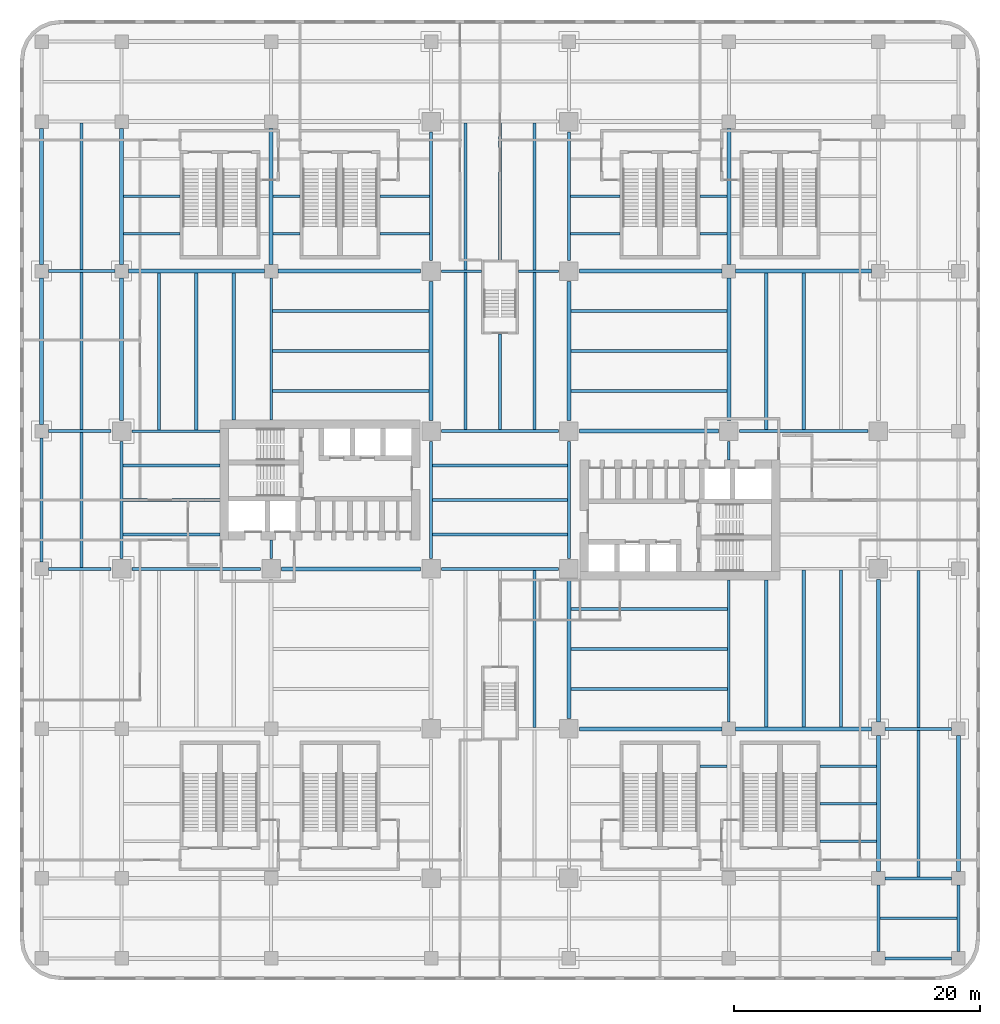
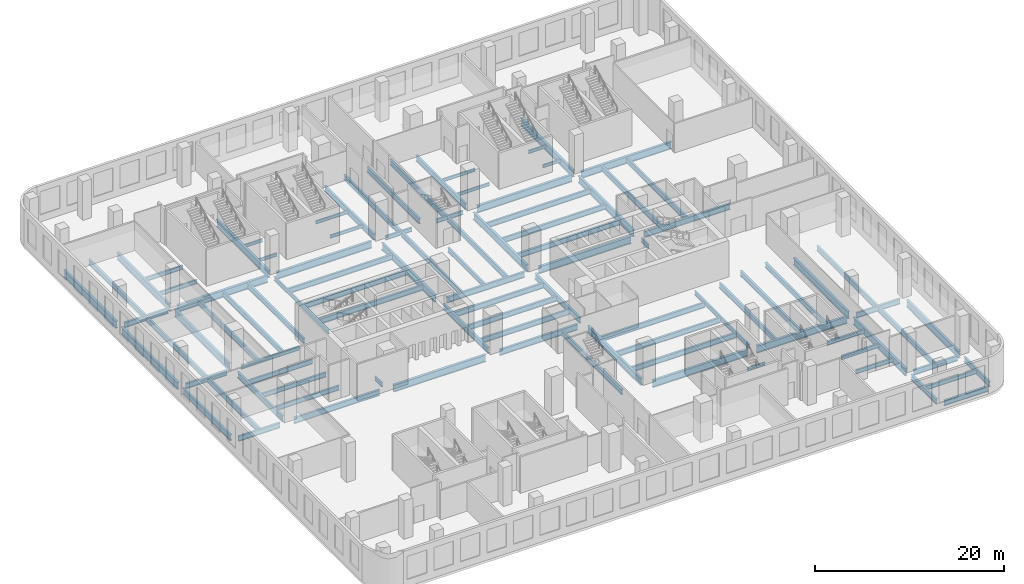
# One storey, part 2 of 17: 96 beams.
"""IFC4 building model written with IfcOpenShell, lengths in metres."""

from ifc_helpers import new_model, si_unit, direction, frame, origin, origin_2d, place, context, subcontext, project, spatial, i_section, extrude, source, transform, mapped, material, material_profile, profile_set, type_object, element, save


model = new_model("IFC4")

# Units and contexts
model_context = context("Model", 3, precision=1e-05, world=origin(), true_north=direction((0.0, 1.0)))
body_context = subcontext(model_context, "Body", "Model", "MODEL_VIEW")
ifc_project = project(units=[si_unit("LENGTHUNIT", "METRE"), si_unit("AREAUNIT", "SQUARE_METRE"), si_unit("VOLUMEUNIT", "CUBIC_METRE"), si_unit("PLANEANGLEUNIT", "RADIAN"), si_unit("MASSUNIT", "GRAM", prefix="KILO")], contexts=[model_context])

# Site, building, storey
site_placement = place(None, origin())
site = spatial("IfcSite", under=ifc_project, at=site_placement, CompositionType="ELEMENT")
building_placement = place(site_placement, origin())
building = spatial("IfcBuilding", under=site, at=building_placement, Name="Trellis Farm Tower", CompositionType="ELEMENT")
storey_placement = place(building_placement, frame((0.0, 0.0, 19.0)))
storey = spatial("IfcBuildingStorey", under=building, at=storey_placement, Name="L03", CompositionType="ELEMENT", Elevation=19.0)

# Beams
ifc_material = material(Name="Steel S355", Category="steel")
ifc_material_profile_1 = material_profile(ifc_material, i_section(OverallWidth=0.2666015625, OverallDepth=0.76220703125, WebThickness=0.014404296875, FlangeThickness=0.021484375, FilletRadius=0.0166015625, at=origin_2d()), Name="UB 762x267x173")
ifc_profile_set_1 = profile_set([ifc_material_profile_1], Name="Steel S355")
beam_type_1 = type_object("IfcBeamType", Name="UB 762x267x173", PredefinedType="BEAM", material=ifc_profile_set_1)
shared_shape_1 = source(origin(), body_context, "Body", "SweptSolid", [
    extrude(i_section(OverallWidth=0.2666015625, OverallDepth=0.76220703125, WebThickness=0.014404296875, FlangeThickness=0.021484375, FilletRadius=0.0166015625, at=origin_2d()), origin(), (0.0, 0.0, 1.0), 9.5),
])
for number, where, z_axis, x_axis, name in (
    (1, (-4.75, -5.60009765625, -0.68115234375), (1.0, 0.0, 0.0), (0.0, 1.0, 0.0), "Girder"),
    (2, (-4.75, 5.60009765625, -0.68115234375), (1.0, 0.0, 0.0), (0.0, 1.0, 0.0), "Girder"),
    (3, (-30.75, -4.75, -0.68115234375), (0.0, 1.0, 0.0), (-1.0, 0.0, 0.0), "Girder"),
    (4, (-5.60009765625, -4.75, -0.68115234375), (0.0, 1.0, 0.0), (-1.0, 0.0, 0.0), "Girder"),
    (5, (5.60009765625, -4.75, -0.68115234375), (0.0, 1.0, 0.0), (-1.0, 0.0, 0.0), "Girder"),
):
    element("IfcBeam", number, at=place(storey_placement, frame(where, z_axis=z_axis, x_axis=x_axis)), inside=storey, type_object=beam_type_1, Name=name, PredefinedType="BEAM", context=body_context, shape_type="MappedRepresentation", body=[
        mapped(shared_shape_1, transform((0.0, 0.0, 0.0))),
    ])
ifc_material_profile_2 = material_profile(ifc_material, i_section(OverallWidth=0.305419921875, OverallDepth=0.91845703125, WebThickness=0.017333984375, FlangeThickness=0.02783203125, FilletRadius=0.01904296875, at=origin_2d()), Name="UB 914x305x253")
ifc_profile_set_2 = profile_set([ifc_material_profile_2], Name="Steel S355")
beam_type_2 = type_object("IfcBeamType", Name="UB 914x305x253", PredefinedType="BEAM", material=ifc_profile_set_2)
shared_shape_2 = source(origin(), body_context, "Body", "SweptSolid", [
    extrude(i_section(OverallWidth=0.305419921875, OverallDepth=0.91845703125, WebThickness=0.017333984375, FlangeThickness=0.02783203125, FilletRadius=0.01904296875, at=origin_2d()), origin(), (0.0, 0.0, 1.0), 11.300048828125),
])
for number, where, z_axis, x_axis, name in (
    (6, (-17.75, -5.60009765625, -0.75927734375), (1.0, 0.0, 0.0), (0.0, 1.0, 0.0), "Girder"),
    (7, (6.449951171875, 5.60009765625, -0.75927734375), (1.0, 0.0, 0.0), (0.0, 1.0, 0.0), "Girder"),
    (8, (-5.60009765625, 6.449951171875, -0.75927734375), (0.0, 1.0, 0.0), (-1.0, 0.0, 0.0), "Girder"),
    (9, (5.60009765625, -17.75, -0.75927734375), (0.0, 1.0, 0.0), (-1.0, 0.0, 0.0), "Girder"),
    (10, (5.60009765625, 6.449951171875, -0.75927734375), (0.0, 1.0, 0.0), (-1.0, 0.0, 0.0), "Girder"),
):
    element("IfcBeam", number, at=place(storey_placement, frame(where, z_axis=z_axis, x_axis=x_axis)), inside=storey, type_object=beam_type_2, Name=name, PredefinedType="BEAM", context=body_context, shape_type="MappedRepresentation", body=[
        mapped(shared_shape_2, transform((0.0, 0.0, 0.0))),
    ])
ifc_material_profile_3 = material_profile(ifc_material, i_section(OverallWidth=0.253662109375, OverallDepth=0.68359375, WebThickness=0.012451171875, FlangeThickness=0.021728515625, FilletRadius=0.01513671875, at=origin_2d()), Name="UB 686x254x140")
ifc_profile_set_3 = profile_set([ifc_material_profile_3], Name="Steel S355")
beam_type_3 = type_object("IfcBeamType", Name="UB 686x254x140 joist", PredefinedType="JOIST", material=ifc_profile_set_3)
shared_shape_3 = source(origin(), body_context, "Body", "SweptSolid", [
    extrude(i_section(OverallWidth=0.253662109375, OverallDepth=0.68359375, WebThickness=0.012451171875, FlangeThickness=0.021728515625, FilletRadius=0.01513671875, at=origin_2d()), origin(), (0.0, 0.0, 1.0), 12.746337890625),
])
for number, where, z_axis, x_axis, name in (
    (11, (-34.0, 5.726806640625, -0.641845703125), (0.0, 1.0, 0.0), (-1.0, 0.0, 0.0), "Floor beam"),
    (12, (34.0, -18.47314453125, -0.641845703125), (0.0, 1.0, 0.0), (-1.0, 0.0, 0.0), "Floor beam"),
):
    element("IfcBeam", number, at=place(storey_placement, frame(where, z_axis=z_axis, x_axis=x_axis)), inside=storey, type_object=beam_type_3, Name=name, PredefinedType="JOIST", context=body_context, shape_type="MappedRepresentation", body=[
        mapped(shared_shape_3, transform((0.0, 0.0, 0.0))),
    ])
shared_shape_4 = source(origin(), body_context, "Body", "SweptSolid", [
    extrude(i_section(OverallWidth=0.253662109375, OverallDepth=0.68359375, WebThickness=0.012451171875, FlangeThickness=0.021728515625, FilletRadius=0.01513671875, at=origin_2d()), origin(), (0.0, 0.0, 1.0), 11.896240234375),
])
for number, where, z_axis, x_axis, name in (
    (13, (-34.0, 18.726806640625, -0.641845703125), (0.0, 1.0, 0.0), (-1.0, 0.0, 0.0), "Floor beam"),
    (14, (34.0, -30.623046875, -0.641845703125), (0.0, 1.0, 0.0), (-1.0, 0.0, 0.0), "Floor beam"),
):
    element("IfcBeam", number, at=place(storey_placement, frame(where, z_axis=z_axis, x_axis=x_axis)), inside=storey, type_object=beam_type_3, Name=name, PredefinedType="JOIST", context=body_context, shape_type="MappedRepresentation", body=[
        mapped(shared_shape_4, transform((0.0, 0.0, 0.0))),
    ])
ifc_material_profile_4 = material_profile(ifc_material, i_section(OverallWidth=0.209228515625, OverallDepth=0.533203125, WebThickness=0.010009765625, FlangeThickness=0.015625, FilletRadius=0.0126953125, at=origin_2d()), Name="UB 533x210x92")
ifc_profile_set_4 = profile_set([ifc_material_profile_4], Name="Steel S355")
beam_type_4 = type_object("IfcBeamType", Name="UB 533x210x92 joist", PredefinedType="JOIST", material=ifc_profile_set_4)
shared_shape_5 = source(origin(), body_context, "Body", "SweptSolid", [
    extrude(i_section(OverallWidth=0.209228515625, OverallDepth=0.533203125, WebThickness=0.010009765625, FlangeThickness=0.015625, FilletRadius=0.0126953125, at=origin_2d()), origin(), (0.0, 0.0, 1.0), 6.246337890625),
])
beam_1_placement = place(storey_placement, frame((30.876953125, -34.0, -0.56640625), z_axis=(1.0, 0.0, 0.0), x_axis=(0.0, 1.0, 0.0)))
element("IfcBeam", 15, at=beam_1_placement, inside=storey, type_object=beam_type_4, Name="Floor beam", PredefinedType="JOIST", context=body_context, shape_type="MappedRepresentation", body=[
    mapped(shared_shape_5, transform((0.0, 0.0, 0.0))),
])
shared_shape_6 = source(origin(), body_context, "Body", "SweptSolid", [
    extrude(i_section(OverallWidth=0.253662109375, OverallDepth=0.68359375, WebThickness=0.012451171875, FlangeThickness=0.021728515625, FilletRadius=0.01513671875, at=origin_2d()), origin(), (0.0, 0.0, 1.0), 10.9462890625),
])
beam_2_placement = place(storey_placement, frame((-34.0, -5.47314453125, -0.641845703125), z_axis=(0.0, 1.0, 0.0), x_axis=(-1.0, 0.0, 0.0)))
element("IfcBeam", 16, at=beam_2_placement, inside=storey, type_object=beam_type_3, Name="Floor beam", PredefinedType="JOIST", context=body_context, shape_type="MappedRepresentation", body=[
    mapped(shared_shape_6, transform((0.0, 0.0, 0.0))),
])
shared_shape_7 = source(origin(), body_context, "Body", "SweptSolid", [
    extrude(i_section(OverallWidth=0.253662109375, OverallDepth=0.68359375, WebThickness=0.012451171875, FlangeThickness=0.021728515625, FilletRadius=0.01513671875, at=origin_2d()), origin(), (0.0, 0.0, 1.0), 12.694580078125),
])
for number, where, z_axis, x_axis, name in (
    (17, (5.752685546875, 8.85009765625, -0.641845703125), (1.0, 0.0, 0.0), (0.0, 1.0, 0.0), "Floor beam"),
    (18, (5.752685546875, 12.10009765625, -0.641845703125), (1.0, 0.0, 0.0), (0.0, 1.0, 0.0), "Floor beam"),
    (19, (5.752685546875, 15.35009765625, -0.641845703125), (1.0, 0.0, 0.0), (0.0, 1.0, 0.0), "Floor beam"),
):
    element("IfcBeam", number, at=place(storey_placement, frame(where, z_axis=z_axis, x_axis=x_axis)), inside=storey, type_object=beam_type_3, Name=name, PredefinedType="JOIST", context=body_context, shape_type="MappedRepresentation", body=[
        mapped(shared_shape_7, transform((0.0, 0.0, 0.0))),
    ])
ifc_material_profile_5 = material_profile(ifc_material, i_section(OverallWidth=0.2275390625, OverallDepth=0.6025390625, WebThickness=0.010498046875, FlangeThickness=0.014892578125, FilletRadius=0.0126953125, at=origin_2d()), Name="UB 610x229x101")
ifc_profile_set_5 = profile_set([ifc_material_profile_5], Name="Steel S355")
beam_type_5 = type_object("IfcBeamType", Name="UB 610x229x101 joist", PredefinedType="JOIST", material=ifc_profile_set_5)
shared_shape_8 = source(origin(), body_context, "Body", "SweptSolid", [
    extrude(i_section(OverallWidth=0.2275390625, OverallDepth=0.6025390625, WebThickness=0.010498046875, FlangeThickness=0.014892578125, FilletRadius=0.0126953125, at=origin_2d()), origin(), (0.0, 0.0, 1.0), 7.86669921875),
])
for number, where, z_axis, x_axis, name in (
    (20, (-30.61669921875, -2.800048828125, -0.601318359375), (1.0, 0.0, 0.0), (0.0, 1.0, 0.0), "Floor beam"),
    (21, (-30.61669921875, 0.0, -0.601318359375), (1.0, 0.0, 0.0), (0.0, 1.0, 0.0), "Floor beam"),
    (22, (-30.61669921875, 2.800048828125, -0.601318359375), (1.0, 0.0, 0.0), (0.0, 1.0, 0.0), "Floor beam"),
):
    element("IfcBeam", number, at=place(storey_placement, frame(where, z_axis=z_axis, x_axis=x_axis)), inside=storey, type_object=beam_type_5, Name=name, PredefinedType="JOIST", context=body_context, shape_type="MappedRepresentation", body=[
        mapped(shared_shape_8, transform((0.0, 0.0, 0.0))),
    ])
shared_shape_9 = source(origin(), body_context, "Body", "SweptSolid", [
    extrude(i_section(OverallWidth=0.253662109375, OverallDepth=0.68359375, WebThickness=0.012451171875, FlangeThickness=0.021728515625, FilletRadius=0.01513671875, at=origin_2d()), origin(), (0.0, 0.0, 1.0), 10.93310546875),
])
for number, where, z_axis, x_axis, name in (
    (23, (-5.466552734375, -2.800048828125, -0.641845703125), (1.0, 0.0, 0.0), (0.0, 1.0, 0.0), "Floor beam"),
    (24, (-5.466552734375, 0.0, -0.641845703125), (1.0, 0.0, 0.0), (0.0, 1.0, 0.0), "Floor beam"),
    (25, (-5.466552734375, 2.800048828125, -0.641845703125), (1.0, 0.0, 0.0), (0.0, 1.0, 0.0), "Floor beam"),
):
    element("IfcBeam", number, at=place(storey_placement, frame(where, z_axis=z_axis, x_axis=x_axis)), inside=storey, type_object=beam_type_3, Name=name, PredefinedType="JOIST", context=body_context, shape_type="MappedRepresentation", body=[
        mapped(shared_shape_9, transform((0.0, 0.0, 0.0))),
    ])
shared_shape_10 = source(origin(), body_context, "Body", "SweptSolid", [
    extrude(i_section(OverallWidth=0.2275390625, OverallDepth=0.6025390625, WebThickness=0.010498046875, FlangeThickness=0.014892578125, FilletRadius=0.0126953125, at=origin_2d()), origin(), (0.0, 0.0, 1.0), 7.7666015625),
])
beam_3_placement = place(storey_placement, frame((0.0, 5.7333984375, -0.601318359375), z_axis=(0.0, 1.0, 0.0), x_axis=(-1.0, 0.0, 0.0)))
element("IfcBeam", 26, at=beam_3_placement, inside=storey, type_object=beam_type_5, Name="Floor beam", PredefinedType="JOIST", context=body_context, shape_type="MappedRepresentation", body=[
    mapped(shared_shape_10, transform((0.0, 0.0, 0.0))),
])
shared_shape_11 = source(origin(), body_context, "Body", "SweptSolid", [
    extrude(i_section(OverallWidth=0.253662109375, OverallDepth=0.68359375, WebThickness=0.012451171875, FlangeThickness=0.021728515625, FilletRadius=0.01513671875, at=origin_2d()), origin(), (0.0, 0.0, 1.0), 11.11669921875),
])
beam_4_placement = place(storey_placement, frame((0.0, 19.5, -0.641845703125), z_axis=(0.0, 1.0, 0.0), x_axis=(-1.0, 0.0, 0.0)))
element("IfcBeam", 27, at=beam_4_placement, inside=storey, type_object=beam_type_3, Name="Floor beam", PredefinedType="JOIST", context=body_context, shape_type="MappedRepresentation", body=[
    mapped(shared_shape_11, transform((0.0, 0.0, 0.0))),
])
shared_shape_12 = source(origin(), body_context, "Body", "SweptSolid", [
    extrude(i_section(OverallWidth=0.305419921875, OverallDepth=0.91845703125, WebThickness=0.017333984375, FlangeThickness=0.02783203125, FilletRadius=0.01904296875, at=origin_2d()), origin(), (0.0, 0.0, 1.0), 11.900146484375),
])
beam_5_placement = place(storey_placement, frame((-37.25, 6.14990234375, -0.75927734375), z_axis=(0.0, 1.0, 0.0), x_axis=(-1.0, 0.0, 0.0)))
element("IfcBeam", 28, at=beam_5_placement, inside=storey, type_object=beam_type_2, Name="Girder", PredefinedType="BEAM", context=body_context, shape_type="MappedRepresentation", body=[
    mapped(shared_shape_12, transform((0.0, 0.0, 0.0))),
])
shared_shape_13 = source(origin(), body_context, "Body", "SweptSolid", [
    extrude(i_section(OverallWidth=0.305419921875, OverallDepth=0.91845703125, WebThickness=0.017333984375, FlangeThickness=0.02783203125, FilletRadius=0.01904296875, at=origin_2d()), origin(), (0.0, 0.0, 1.0), 11.050048828125),
])
for number, where, z_axis, x_axis, name in (
    (29, (19.14990234375, -18.60009765625, -0.75927734375), (1.0, 0.0, 0.0), (0.0, 1.0, 0.0), "Girder"),
    (30, (-30.199951171875, 18.60009765625, -0.75927734375), (1.0, 0.0, 0.0), (0.0, 1.0, 0.0), "Girder"),
    (31, (19.14990234375, 18.60009765625, -0.75927734375), (1.0, 0.0, 0.0), (0.0, 1.0, 0.0), "Girder"),
    (32, (-37.25, 19.14990234375, -0.75927734375), (0.0, 1.0, 0.0), (-1.0, 0.0, 0.0), "Girder"),
    (33, (-30.75, 19.14990234375, -0.75927734375), (0.0, 1.0, 0.0), (-1.0, 0.0, 0.0), "Girder"),
    (34, (-18.60009765625, 19.14990234375, -0.75927734375), (0.0, 1.0, 0.0), (-1.0, 0.0, 0.0), "Girder"),
    (35, (18.60009765625, 19.14990234375, -0.75927734375), (0.0, 1.0, 0.0), (-1.0, 0.0, 0.0), "Girder"),
    (36, (30.75, -30.199951171875, -0.75927734375), (0.0, 1.0, 0.0), (-1.0, 0.0, 0.0), "Girder"),
    (37, (37.25, -30.199951171875, -0.75927734375), (0.0, 1.0, 0.0), (-1.0, 0.0, 0.0), "Girder"),
):
    element("IfcBeam", number, at=place(storey_placement, frame(where, z_axis=z_axis, x_axis=x_axis)), inside=storey, type_object=beam_type_2, Name=name, PredefinedType="BEAM", context=body_context, shape_type="MappedRepresentation", body=[
        mapped(shared_shape_13, transform((0.0, 0.0, 0.0))),
    ])
ifc_material_profile_6 = material_profile(ifc_material, i_section(OverallWidth=0.253662109375, OverallDepth=0.68359375, WebThickness=0.012451171875, FlangeThickness=0.021728515625, FilletRadius=0.01513671875, at=origin_2d()), Name="UB 686x254x140")
ifc_profile_set_6 = profile_set([ifc_material_profile_6], Name="Steel S355")
beam_type_6 = type_object("IfcBeamType", Name="UB 686x254x140", PredefinedType="BEAM", material=ifc_profile_set_6)
shared_shape_14 = source(origin(), body_context, "Body", "SweptSolid", [
    extrude(i_section(OverallWidth=0.253662109375, OverallDepth=0.68359375, WebThickness=0.012451171875, FlangeThickness=0.021728515625, FilletRadius=0.01513671875, at=origin_2d()), origin(), (0.0, 0.0, 1.0), 5.39990234375),
])
for number, where, z_axis, x_axis, name in (
    (38, (31.300048828125, -37.25, -0.641845703125), (1.0, 0.0, 0.0), (0.0, 1.0, 0.0), "Girder"),
    (39, (31.300048828125, -30.75, -0.641845703125), (1.0, 0.0, 0.0), (0.0, 1.0, 0.0), "Girder"),
    (40, (31.300048828125, -18.60009765625, -0.641845703125), (1.0, 0.0, 0.0), (0.0, 1.0, 0.0), "Girder"),
    (41, (-36.699951171875, 18.60009765625, -0.641845703125), (1.0, 0.0, 0.0), (0.0, 1.0, 0.0), "Girder"),
    (42, (30.75, -36.699951171875, -0.641845703125), (0.0, 1.0, 0.0), (-1.0, 0.0, 0.0), "Girder"),
    (43, (37.25, -36.699951171875, -0.641845703125), (0.0, 1.0, 0.0), (-1.0, 0.0, 0.0), "Girder"),
):
    element("IfcBeam", number, at=place(storey_placement, frame(where, z_axis=z_axis, x_axis=x_axis)), inside=storey, type_object=beam_type_6, Name=name, PredefinedType="BEAM", context=body_context, shape_type="MappedRepresentation", body=[
        mapped(shared_shape_14, transform((0.0, 0.0, 0.0))),
    ])
shared_shape_15 = source(origin(), body_context, "Body", "SweptSolid", [
    extrude(i_section(OverallWidth=0.305419921875, OverallDepth=0.91845703125, WebThickness=0.017333984375, FlangeThickness=0.02783203125, FilletRadius=0.01904296875, at=origin_2d()), origin(), (0.0, 0.0, 1.0), 11.60009765625),
])
for number, where, z_axis, x_axis, name in (
    (44, (6.449951171875, -18.60009765625, -0.75927734375), (1.0, 0.0, 0.0), (0.0, 1.0, 0.0), "Girder"),
    (45, (-18.050048828125, 18.60009765625, -0.75927734375), (1.0, 0.0, 0.0), (0.0, 1.0, 0.0), "Girder"),
    (46, (6.449951171875, 18.60009765625, -0.75927734375), (1.0, 0.0, 0.0), (0.0, 1.0, 0.0), "Girder"),
    (47, (-30.75, 6.449951171875, -0.75927734375), (0.0, 1.0, 0.0), (-1.0, 0.0, 0.0), "Girder"),
    (48, (18.60009765625, 6.449951171875, -0.75927734375), (0.0, 1.0, 0.0), (-1.0, 0.0, 0.0), "Girder"),
    (49, (30.75, -18.050048828125, -0.75927734375), (0.0, 1.0, 0.0), (-1.0, 0.0, 0.0), "Girder"),
):
    element("IfcBeam", number, at=place(storey_placement, frame(where, z_axis=z_axis, x_axis=x_axis)), inside=storey, type_object=beam_type_2, Name=name, PredefinedType="BEAM", context=body_context, shape_type="MappedRepresentation", body=[
        mapped(shared_shape_15, transform((0.0, 0.0, 0.0))),
    ])
ifc_material_profile_7 = material_profile(ifc_material, i_section(OverallWidth=0.209228515625, OverallDepth=0.533203125, WebThickness=0.010009765625, FlangeThickness=0.015625, FilletRadius=0.0126953125, at=origin_2d()), Name="UB 533x210x92")
ifc_profile_set_7 = profile_set([ifc_material_profile_7], Name="Steel S355")
beam_type_7 = type_object("IfcBeamType", Name="UB 533x210x92", PredefinedType="BEAM", material=ifc_profile_set_7)
shared_shape_16 = source(origin(), body_context, "Body", "SweptSolid", [
    extrude(i_section(OverallWidth=0.209228515625, OverallDepth=0.533203125, WebThickness=0.010009765625, FlangeThickness=0.015625, FilletRadius=0.0126953125, at=origin_2d()), origin(), (0.0, 0.0, 1.0), 3.25),
])
for number, where, z_axis, x_axis, name in (
    (50, (-4.75, 18.60009765625, -0.56640625), (1.0, 0.0, 0.0), (0.0, 1.0, 0.0), "Girder"),
    (51, (1.5, 18.60009765625, -0.56640625), (1.0, 0.0, 0.0), (0.0, 1.0, 0.0), "Girder"),
):
    element("IfcBeam", number, at=place(storey_placement, frame(where, z_axis=z_axis, x_axis=x_axis)), inside=storey, type_object=beam_type_7, Name=name, PredefinedType="BEAM", context=body_context, shape_type="MappedRepresentation", body=[
        mapped(shared_shape_16, transform((0.0, 0.0, 0.0))),
    ])
shared_shape_17 = source(origin(), body_context, "Body", "SweptSolid", [
    extrude(i_section(OverallWidth=0.253662109375, OverallDepth=0.68359375, WebThickness=0.012451171875, FlangeThickness=0.021728515625, FilletRadius=0.01513671875, at=origin_2d()), origin(), (0.0, 0.0, 1.0), 5.099853515625),
])
for number, where, z_axis, x_axis, name in (
    (52, (-36.699951171875, -5.60009765625, -0.641845703125), (1.0, 0.0, 0.0), (0.0, 1.0, 0.0), "Girder"),
    (53, (-36.699951171875, 5.60009765625, -0.641845703125), (1.0, 0.0, 0.0), (0.0, 1.0, 0.0), "Girder"),
):
    element("IfcBeam", number, at=place(storey_placement, frame(where, z_axis=z_axis, x_axis=x_axis)), inside=storey, type_object=beam_type_6, Name=name, PredefinedType="BEAM", context=body_context, shape_type="MappedRepresentation", body=[
        mapped(shared_shape_17, transform((0.0, 0.0, 0.0))),
    ])
shared_shape_18 = source(origin(), body_context, "Body", "SweptSolid", [
    extrude(i_section(OverallWidth=0.209228515625, OverallDepth=0.533203125, WebThickness=0.010009765625, FlangeThickness=0.015625, FilletRadius=0.0126953125, at=origin_2d()), origin(), (0.0, 0.0, 1.0), 7.14990234375),
])
beam_6_placement = place(storey_placement, frame((-29.89990234375, 5.60009765625, -0.56640625), z_axis=(1.0, 0.0, 0.0), x_axis=(0.0, 1.0, 0.0)))
element("IfcBeam", 54, at=beam_6_placement, inside=storey, type_object=beam_type_7, Name="Girder", PredefinedType="BEAM", context=body_context, shape_type="MappedRepresentation", body=[
    mapped(shared_shape_18, transform((0.0, 0.0, 0.0))),
])
shared_shape_19 = source(origin(), body_context, "Body", "SweptSolid", [
    extrude(i_section(OverallWidth=0.2666015625, OverallDepth=0.76220703125, WebThickness=0.014404296875, FlangeThickness=0.021484375, FilletRadius=0.0166015625, at=origin_2d()), origin(), (0.0, 0.0, 1.0), 10.449951171875),
])
for number, where, z_axis, x_axis, name in (
    (55, (-29.89990234375, -5.60009765625, -0.68115234375), (1.0, 0.0, 0.0), (0.0, 1.0, 0.0), "Girder"),
    (56, (19.449951171875, 5.60009765625, -0.68115234375), (1.0, 0.0, 0.0), (0.0, 1.0, 0.0), "Girder"),
    (57, (-5.60009765625, 19.449951171875, -0.68115234375), (0.0, 1.0, 0.0), (-1.0, 0.0, 0.0), "Girder"),
    (58, (5.60009765625, 19.449951171875, -0.68115234375), (0.0, 1.0, 0.0), (-1.0, 0.0, 0.0), "Girder"),
):
    element("IfcBeam", number, at=place(storey_placement, frame(where, z_axis=z_axis, x_axis=x_axis)), inside=storey, type_object=beam_type_1, Name=name, PredefinedType="BEAM", context=body_context, shape_type="MappedRepresentation", body=[
        mapped(shared_shape_19, transform((0.0, 0.0, 0.0))),
    ])
shared_shape_20 = source(origin(), body_context, "Body", "SweptSolid", [
    extrude(i_section(OverallWidth=0.2666015625, OverallDepth=0.76220703125, WebThickness=0.014404296875, FlangeThickness=0.021484375, FilletRadius=0.0166015625, at=origin_2d()), origin(), (0.0, 0.0, 1.0), 10.10009765625),
])
beam_7_placement = place(storey_placement, frame((-37.25, -5.050048828125, -0.68115234375), z_axis=(0.0, 1.0, 0.0), x_axis=(-1.0, 0.0, 0.0)))
element("IfcBeam", 59, at=beam_7_placement, inside=storey, type_object=beam_type_1, Name="Girder", PredefinedType="BEAM", context=body_context, shape_type="MappedRepresentation", body=[
    mapped(shared_shape_20, transform((0.0, 0.0, 0.0))),
])
shared_shape_21 = source(origin(), body_context, "Body", "SweptSolid", [
    extrude(i_section(OverallWidth=0.209228515625, OverallDepth=0.533203125, WebThickness=0.010009765625, FlangeThickness=0.015625, FilletRadius=0.0126953125, at=origin_2d()), origin(), (0.0, 0.0, 1.0), 11.550048828125),
])
for number, where, z_axis, x_axis, name in (
    (60, (-18.60009765625, 6.5, -0.56640625), (0.0, 1.0, 0.0), (-1.0, 0.0, 0.0), "Girder"),
    (61, (18.60009765625, -18.050048828125, -0.56640625), (0.0, 1.0, 0.0), (-1.0, 0.0, 0.0), "Girder"),
):
    element("IfcBeam", number, at=place(storey_placement, frame(where, z_axis=z_axis, x_axis=x_axis)), inside=storey, type_object=beam_type_7, Name=name, PredefinedType="BEAM", context=body_context, shape_type="MappedRepresentation", body=[
        mapped(shared_shape_21, transform((0.0, 0.0, 0.0))),
    ])
shared_shape_22 = source(origin(), body_context, "Body", "SweptSolid", [
    extrude(i_section(OverallWidth=0.209228515625, OverallDepth=0.533203125, WebThickness=0.010009765625, FlangeThickness=0.015625, FilletRadius=0.0126953125, at=origin_2d()), origin(), (0.0, 0.0, 1.0), 1.5),
])
for number, where, z_axis, x_axis, name in (
    (62, (-18.60009765625, -4.75, -0.56640625), (0.0, 1.0, 0.0), (-1.0, 0.0, 0.0), "Girder"),
    (63, (18.60009765625, 3.25, -0.56640625), (0.0, 1.0, 0.0), (-1.0, 0.0, 0.0), "Girder"),
):
    element("IfcBeam", number, at=place(storey_placement, frame(where, z_axis=z_axis, x_axis=x_axis)), inside=storey, type_object=beam_type_7, Name=name, PredefinedType="BEAM", context=body_context, shape_type="MappedRepresentation", body=[
        mapped(shared_shape_22, transform((0.0, 0.0, 0.0))),
    ])
ifc_material_profile_8 = material_profile(ifc_material, i_section(OverallWidth=0.177978515625, OverallDepth=0.406494140625, WebThickness=0.0078125, FlangeThickness=0.0126953125, FilletRadius=0.01025390625, at=origin_2d()), Name="UB 406x178x60")
ifc_profile_set_8 = profile_set([ifc_material_profile_8], Name="Steel S355")
beam_type_8 = type_object("IfcBeamType", Name="UB 406x178x60 joist", PredefinedType="JOIST", material=ifc_profile_set_8)
shared_shape_23 = source(origin(), body_context, "Body", "SweptSolid", [
    extrude(i_section(OverallWidth=0.177978515625, OverallDepth=0.406494140625, WebThickness=0.0078125, FlangeThickness=0.0126953125, FilletRadius=0.01025390625, at=origin_2d()), origin(), (0.0, 0.0, 1.0), 4.0166015625),
])
for number, where, z_axis, x_axis, name in (
    (64, (-9.75, 21.637451171875, -0.503173828125), (1.0, 0.0, 0.0), (0.0, 1.0, 0.0), "Floor beam"),
    (65, (5.7333984375, 21.637451171875, -0.503173828125), (1.0, 0.0, 0.0), (0.0, 1.0, 0.0), "Floor beam"),
    (66, (-9.75, 24.675048828125, -0.503173828125), (1.0, 0.0, 0.0), (0.0, 1.0, 0.0), "Floor beam"),
    (67, (5.7333984375, 24.675048828125, -0.503173828125), (1.0, 0.0, 0.0), (0.0, 1.0, 0.0), "Floor beam"),
):
    element("IfcBeam", number, at=place(storey_placement, frame(where, z_axis=z_axis, x_axis=x_axis)), inside=storey, type_object=beam_type_8, Name=name, PredefinedType="JOIST", context=body_context, shape_type="MappedRepresentation", body=[
        mapped(shared_shape_23, transform((0.0, 0.0, 0.0))),
    ])
shared_shape_24 = source(origin(), body_context, "Body", "SweptSolid", [
    extrude(i_section(OverallWidth=0.177978515625, OverallDepth=0.406494140625, WebThickness=0.0078125, FlangeThickness=0.0126953125, FilletRadius=0.01025390625, at=origin_2d()), origin(), (0.0, 0.0, 1.0), 2.197265625),
])
for number, where, z_axis, x_axis, name in (
    (68, (16.25, -21.637451171875, -0.503173828125), (1.0, 0.0, 0.0), (0.0, 1.0, 0.0), "Floor beam"),
    (69, (-18.447265625, 21.637451171875, -0.503173828125), (1.0, 0.0, 0.0), (0.0, 1.0, 0.0), "Floor beam"),
    (70, (16.25, 21.637451171875, -0.503173828125), (1.0, 0.0, 0.0), (0.0, 1.0, 0.0), "Floor beam"),
    (71, (-18.447265625, 24.675048828125, -0.503173828125), (1.0, 0.0, 0.0), (0.0, 1.0, 0.0), "Floor beam"),
    (72, (16.25, 24.675048828125, -0.503173828125), (1.0, 0.0, 0.0), (0.0, 1.0, 0.0), "Floor beam"),
):
    element("IfcBeam", number, at=place(storey_placement, frame(where, z_axis=z_axis, x_axis=x_axis)), inside=storey, type_object=beam_type_8, Name=name, PredefinedType="JOIST", context=body_context, shape_type="MappedRepresentation", body=[
        mapped(shared_shape_24, transform((0.0, 0.0, 0.0))),
    ])
shared_shape_25 = source(origin(), body_context, "Body", "SweptSolid", [
    extrude(i_section(OverallWidth=0.209228515625, OverallDepth=0.533203125, WebThickness=0.010009765625, FlangeThickness=0.015625, FilletRadius=0.0126953125, at=origin_2d()), origin(), (0.0, 0.0, 1.0), 4.59716796875),
])
for number, where, z_axis, x_axis, name in (
    (73, (26.0, -27.71240234375, -0.56640625), (1.0, 0.0, 0.0), (0.0, 1.0, 0.0), "Floor beam"),
    (74, (26.0, -24.675048828125, -0.56640625), (1.0, 0.0, 0.0), (0.0, 1.0, 0.0), "Floor beam"),
    (75, (26.0, -21.637451171875, -0.56640625), (1.0, 0.0, 0.0), (0.0, 1.0, 0.0), "Floor beam"),
    (76, (-30.59716796875, 21.637451171875, -0.56640625), (1.0, 0.0, 0.0), (0.0, 1.0, 0.0), "Floor beam"),
    (77, (-30.59716796875, 24.675048828125, -0.56640625), (1.0, 0.0, 0.0), (0.0, 1.0, 0.0), "Floor beam"),
):
    element("IfcBeam", number, at=place(storey_placement, frame(where, z_axis=z_axis, x_axis=x_axis)), inside=storey, type_object=beam_type_4, Name=name, PredefinedType="JOIST", context=body_context, shape_type="MappedRepresentation", body=[
        mapped(shared_shape_25, transform((0.0, 0.0, 0.0))),
    ])
shared_shape_26 = source(origin(), body_context, "Body", "SweptSolid", [
    extrude(i_section(OverallWidth=0.253662109375, OverallDepth=0.68359375, WebThickness=0.012451171875, FlangeThickness=0.021728515625, FilletRadius=0.01513671875, at=origin_2d()), origin(), (0.0, 0.0, 1.0), 12.74267578125),
])
for number, where, z_axis, x_axis, name in (
    (78, (5.752685546875, -15.35009765625, -0.641845703125), (1.0, 0.0, 0.0), (0.0, 1.0, 0.0), "Floor beam"),
    (79, (5.752685546875, -12.10009765625, -0.641845703125), (1.0, 0.0, 0.0), (0.0, 1.0, 0.0), "Floor beam"),
    (80, (5.752685546875, -8.85009765625, -0.641845703125), (1.0, 0.0, 0.0), (0.0, 1.0, 0.0), "Floor beam"),
    (81, (-18.495361328125, 8.85009765625, -0.641845703125), (1.0, 0.0, 0.0), (0.0, 1.0, 0.0), "Floor beam"),
    (82, (-18.495361328125, 12.10009765625, -0.641845703125), (1.0, 0.0, 0.0), (0.0, 1.0, 0.0), "Floor beam"),
    (83, (-18.495361328125, 15.35009765625, -0.641845703125), (1.0, 0.0, 0.0), (0.0, 1.0, 0.0), "Floor beam"),
    (84, (-27.71240234375, 5.70458984375, -0.641845703125), (0.0, 1.0, 0.0), (-1.0, 0.0, 0.0), "Floor beam"),
    (85, (-24.675048828125, 5.70458984375, -0.641845703125), (0.0, 1.0, 0.0), (-1.0, 0.0, 0.0), "Floor beam"),
    (86, (24.675048828125, -18.447265625, -0.641845703125), (0.0, 1.0, 0.0), (-1.0, 0.0, 0.0), "Floor beam"),
    (87, (27.71240234375, -18.447265625, -0.641845703125), (0.0, 1.0, 0.0), (-1.0, 0.0, 0.0), "Floor beam"),
):
    element("IfcBeam", number, at=place(storey_placement, frame(where, z_axis=z_axis, x_axis=x_axis)), inside=storey, type_object=beam_type_3, Name=name, PredefinedType="JOIST", context=body_context, shape_type="MappedRepresentation", body=[
        mapped(shared_shape_26, transform((0.0, 0.0, 0.0))),
    ])
shared_shape_27 = source(origin(), body_context, "Body", "SweptSolid", [
    extrude(i_section(OverallWidth=0.253662109375, OverallDepth=0.68359375, WebThickness=0.012451171875, FlangeThickness=0.021728515625, FilletRadius=0.01513671875, at=origin_2d()), origin(), (0.0, 0.0, 1.0), 12.7138671875),
])
for number, where, z_axis, x_axis, name in (
    (88, (21.637451171875, 5.7333984375, -0.641845703125), (0.0, 1.0, 0.0), (-1.0, 0.0, 0.0), "Floor beam"),
    (89, (24.675048828125, 5.7333984375, -0.641845703125), (0.0, 1.0, 0.0), (-1.0, 0.0, 0.0), "Floor beam"),
):
    element("IfcBeam", number, at=place(storey_placement, frame(where, z_axis=z_axis, x_axis=x_axis)), inside=storey, type_object=beam_type_3, Name=name, PredefinedType="JOIST", context=body_context, shape_type="MappedRepresentation", body=[
        mapped(shared_shape_27, transform((0.0, 0.0, 0.0))),
    ])
shared_shape_28 = source(origin(), body_context, "Body", "SweptSolid", [
    extrude(i_section(OverallWidth=0.253662109375, OverallDepth=0.68359375, WebThickness=0.012451171875, FlangeThickness=0.021728515625, FilletRadius=0.01513671875, at=origin_2d()), origin(), (0.0, 0.0, 1.0), 12.761962890625),
])
for number, where, z_axis, x_axis, name in (
    (90, (-2.800048828125, 5.7333984375, -0.641845703125), (0.0, 1.0, 0.0), (-1.0, 0.0, 0.0), "Floor beam"),
    (91, (2.800048828125, -18.495361328125, -0.641845703125), (0.0, 1.0, 0.0), (-1.0, 0.0, 0.0), "Floor beam"),
    (92, (2.800048828125, 5.7333984375, -0.641845703125), (0.0, 1.0, 0.0), (-1.0, 0.0, 0.0), "Floor beam"),
):
    element("IfcBeam", number, at=place(storey_placement, frame(where, z_axis=z_axis, x_axis=x_axis)), inside=storey, type_object=beam_type_3, Name=name, PredefinedType="JOIST", context=body_context, shape_type="MappedRepresentation", body=[
        mapped(shared_shape_28, transform((0.0, 0.0, 0.0))),
    ])
shared_shape_29 = source(origin(), body_context, "Body", "SweptSolid", [
    extrude(i_section(OverallWidth=0.253662109375, OverallDepth=0.68359375, WebThickness=0.012451171875, FlangeThickness=0.021728515625, FilletRadius=0.01513671875, at=origin_2d()), origin(), (0.0, 0.0, 1.0), 11.912109375),
])
for number, where, z_axis, x_axis, name in (
    (93, (-2.800048828125, 18.70458984375, -0.641845703125), (0.0, 1.0, 0.0), (-1.0, 0.0, 0.0), "Floor beam"),
    (94, (2.800048828125, 18.70458984375, -0.641845703125), (0.0, 1.0, 0.0), (-1.0, 0.0, 0.0), "Floor beam"),
):
    element("IfcBeam", number, at=place(storey_placement, frame(where, z_axis=z_axis, x_axis=x_axis)), inside=storey, type_object=beam_type_3, Name=name, PredefinedType="JOIST", context=body_context, shape_type="MappedRepresentation", body=[
        mapped(shared_shape_29, transform((0.0, 0.0, 0.0))),
    ])
shared_shape_30 = source(origin(), body_context, "Body", "SweptSolid", [
    extrude(i_section(OverallWidth=0.253662109375, OverallDepth=0.68359375, WebThickness=0.012451171875, FlangeThickness=0.021728515625, FilletRadius=0.01513671875, at=origin_2d()), origin(), (0.0, 0.0, 1.0), 11.947265625),
])
for number, where, z_axis, x_axis, name in (
    (95, (-21.637451171875, 6.5, -0.641845703125), (0.0, 1.0, 0.0), (-1.0, 0.0, 0.0), "Floor beam"),
    (96, (21.637451171875, -18.447265625, -0.641845703125), (0.0, 1.0, 0.0), (-1.0, 0.0, 0.0), "Floor beam"),
):
    element("IfcBeam", number, at=place(storey_placement, frame(where, z_axis=z_axis, x_axis=x_axis)), inside=storey, type_object=beam_type_3, Name=name, PredefinedType="JOIST", context=body_context, shape_type="MappedRepresentation", body=[
        mapped(shared_shape_30, transform((0.0, 0.0, 0.0))),
    ])

save(model, "model.ifc")
